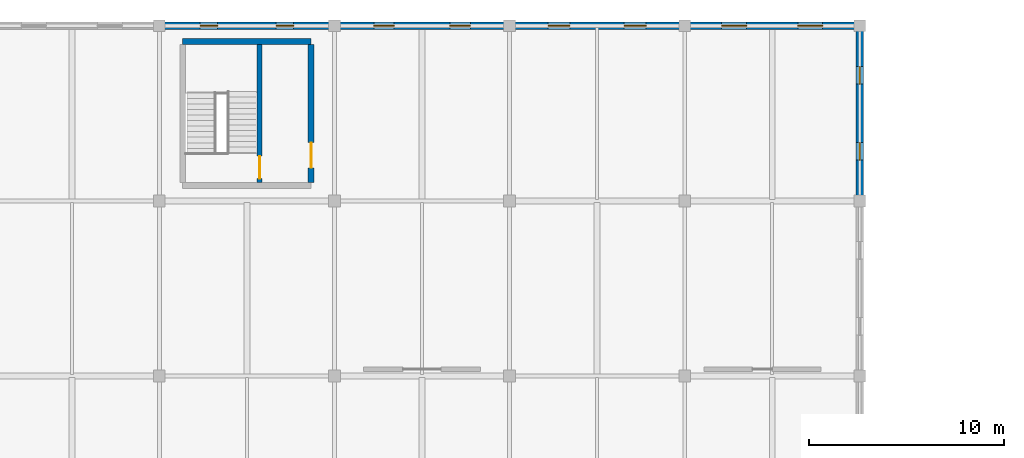
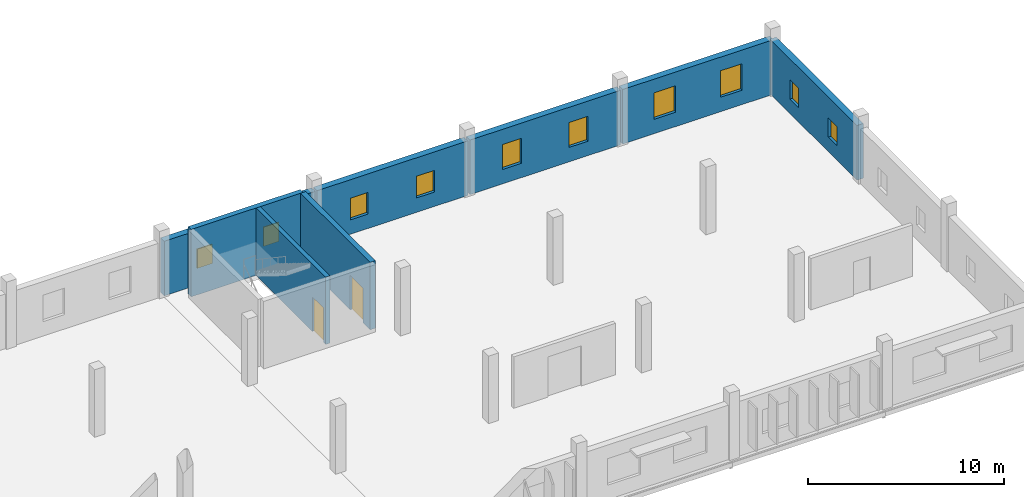
# One storey, part 148 of 161: 10 windows, 8 walls, 2 doors, 12 openings.
"""IFC4 building model written with IfcOpenShell, lengths in metres."""

import ifcopenshell
import ifcopenshell.guid

model = None  # the IFC model being written
_history = None  # IfcOwnerHistory: only IFC2X3 demands one
_inside = {}  # id of a spatial element -> (the spatial element, [elements in it])
_under = {}  # id of a project, library or spatial element -> (it, [spatial elements below it])
_declared = {}  # id of a project -> (the project, [libraries it declares])
_typed = {}  # id of a type object -> (the type object, [elements of that type])
_made_of = {}  # id of a material, layer set ... -> (it, [elements and type objects made of it])


def new_model(schema):
    """Start an empty IFC model of exactly this schema.

    Asked for "IFC4X3", IfcOpenShell would pick the latest addendum, in which some entities
    have other attributes; the version numbers below select the first issue.
    IFC2X3 requires an IfcOwnerHistory on every rooted entity: one is made here for all.
    """
    global model, _history
    if schema == "IFC4X3":
        model = ifcopenshell.file(schema_version=(4, 3, 0, 0))
    else:
        model = ifcopenshell.file(schema=schema)
    _inside.clear()
    _under.clear()
    _declared.clear()
    _typed.clear()
    _made_of.clear()
    _history = None
    if model.schema == "IFC2X3":
        org = make("IfcOrganization", Name="unknown")
        user = make(
            "IfcPersonAndOrganization",
            ThePerson=make("IfcPerson", FamilyName="unknown"),
            TheOrganization=org,
        )
        app = make(
            "IfcApplication",
            ApplicationDeveloper=org,
            Version="unknown",
            ApplicationFullName="unknown",
            ApplicationIdentifier="unknown",
        )
        _history = make(
            "IfcOwnerHistory",
            OwningUser=user,
            OwningApplication=app,
            ChangeAction="ADDED",
            CreationDate=0,
        )
    return model


def make(cls, **values):
    """One entity of the class cls with the attributes given. An attribute that is None is left unset."""
    return model.create_entity(
        cls, **{name: value for name, value in values.items() if value is not None}
    )


def rooted(cls, **values):
    """An entity with a GlobalId (a new one), such as an element, a storey or a relation."""
    return make(cls, GlobalId=ifcopenshell.guid.new(), OwnerHistory=_history, **values)


def si_unit(unit_type, name, prefix=None):
    """IfcSIUnit, for example si_unit("LENGTHUNIT", "METRE", prefix="MILLI")."""
    return make("IfcSIUnit", UnitType=unit_type, Prefix=prefix, Name=name)


def assignment(units):
    """IfcUnitAssignment: the units of a project."""
    return None if units is None else make("IfcUnitAssignment", Units=units)


def point(xyz):
    """IfcCartesianPoint."""
    return None if xyz is None else make("IfcCartesianPoint", Coordinates=xyz)


def direction(xyz):
    """IfcDirection."""
    return None if xyz is None else make("IfcDirection", DirectionRatios=xyz)


def frame(location, z_axis=None, x_axis=None):
    """IfcAxis2Placement3D, a coordinate frame: its origin and axes. An axis left out is left unset."""
    return make(
        "IfcAxis2Placement3D",
        Location=point(location),
        Axis=direction(z_axis),
        RefDirection=direction(x_axis),
    )


def frame_2d(location, x_axis=None):
    """IfcAxis2Placement2D, a coordinate frame in the plane: its origin and x axis."""
    return make(
        "IfcAxis2Placement2D", Location=point(location), RefDirection=direction(x_axis)
    )


def origin():
    """The frame at (0, 0, 0) with its axes left unset."""
    return frame((0.0, 0.0, 0.0))


def place(relative_to, where):
    """IfcLocalPlacement: puts the frame where relative to a parent placement (None: the world)."""
    return make(
        "IfcLocalPlacement", PlacementRelTo=relative_to, RelativePlacement=where
    )


def context(
    kind, dimensions, precision=None, world=None, true_north=None, identifier=None
):
    """IfcGeometricRepresentationContext, for example the 3D "Model" context."""
    return make(
        "IfcGeometricRepresentationContext",
        ContextIdentifier=identifier,
        ContextType=kind,
        CoordinateSpaceDimension=dimensions,
        Precision=precision,
        WorldCoordinateSystem=world,
        TrueNorth=true_north,
    )


def subcontext(parent, identifier, kind, view, scale=None):
    """IfcGeometricRepresentationSubContext, for example "Body" below "Model"."""
    return make(
        "IfcGeometricRepresentationSubContext",
        ContextIdentifier=identifier,
        ContextType=kind,
        ParentContext=parent,
        TargetScale=scale,
        TargetView=view,
    )


def project(units=None, contexts=None):
    """IfcProject with its units and contexts."""
    return rooted(
        "IfcProject",
        Name="project",
        RepresentationContexts=contexts,
        UnitsInContext=assignment(units),
    )


def spatial(cls, under=None, at=None, **own):
    """A site, building, storey or space (cls), placed at a placement, below another one or the project."""
    s = rooted(cls, ObjectPlacement=at, **own)
    if under is not None:
        _under.setdefault(under.id(), (under, []))[1].append(s)
    return s


def profile(cls, at=None, kind="AREA", **sizes):
    """A parametric profile (cls). Its sizes go by their IFC names, for example OverallWidth=200.0."""
    return make(cls, ProfileType=kind, Position=at, **sizes)


def rectangle(**sizes):
    """IfcRectangleProfileDef."""
    return profile("IfcRectangleProfileDef", **sizes)


def extrude(swept, where, along, depth):
    """IfcExtrudedAreaSolid: the profile swept, set in the frame where, extruded along a direction by depth."""
    return make(
        "IfcExtrudedAreaSolid",
        SweptArea=swept,
        Position=where,
        ExtrudedDirection=direction(along),
        Depth=depth,
    )


def shape(context_of_items, identifier, shape_type, items):
    """IfcShapeRepresentation: the items that make up one representation, for example the "Body"."""
    return make(
        "IfcShapeRepresentation",
        ContextOfItems=context_of_items,
        RepresentationIdentifier=identifier,
        RepresentationType=shape_type,
        Items=items,
    )


def material(Name=None, Category=None):
    """IfcMaterial."""
    return make("IfcMaterial", Name=Name, Category=Category)


def layer(
    of_material, thickness, ventilated=None, Name=None, Category=None, Priority=None
):
    """IfcMaterialLayer: one layer of a wall or slab, of a material (None: an air gap)."""
    return make(
        "IfcMaterialLayer",
        Material=of_material,
        LayerThickness=thickness,
        IsVentilated=ventilated,
        Name=Name,
        Category=Category,
        Priority=Priority,
    )


def layer_set(layers, Name=None):
    """IfcMaterialLayerSet."""
    return make("IfcMaterialLayerSet", MaterialLayers=layers, LayerSetName=Name)


def made_of(thing, what):
    """Note that an element or type object is made of a material, layer set ...; save() writes the relation."""
    if what is not None:
        _made_of.setdefault(what.id(), (what, []))[1].append(thing)
    return thing


def type_object(cls, material=None, **own):
    """A type object (cls), such as IfcWallType, which elements share."""
    return made_of(rooted(cls, **own), material)


def element(
    cls,
    number,
    at=None,
    inside=None,
    cuts=None,
    type_object=None,
    material=None,
    context=None,
    identifier="Body",
    shape_type=None,
    held_by="IfcProductDefinitionShape",
    body=None,
    shapes=None,
    **own,
):
    """One element of the class cls, such as IfcWall. Its Tag is "e" and its number.

    at: its placement. inside: the storey or other place that contains it. cuts: it is an
    opening in that element (IfcRelVoidsElement). A single representation is given by context,
    identifier, shape_type and body (its items); several are given by shapes. held_by: the class
    of the entity that holds the representations. save() writes the other relations.
    """
    e = rooted(cls, Tag="e%d" % number, ObjectPlacement=at, **own)
    if body is not None:
        shapes = [shape(context, identifier, shape_type, body)]
    if shapes is not None:
        e.Representation = make(held_by, Representations=shapes)
    if inside is not None:
        _inside.setdefault(inside.id(), (inside, []))[1].append(e)
    if cuts is not None:
        rooted(
            "IfcRelVoidsElement", RelatingBuildingElement=cuts, RelatedOpeningElement=e
        )
    if type_object is not None:
        _typed.setdefault(type_object.id(), (type_object, []))[1].append(e)
    return made_of(e, material)


def fill(opening, filler):
    """IfcRelFillsElement: the door or window that sits in an opening."""
    return rooted(
        "IfcRelFillsElement",
        RelatingOpeningElement=opening,
        RelatedBuildingElement=filler,
    )


def aggregate(whole, parts):
    """IfcRelAggregates: a whole, such as a stair, and the parts it consists of."""
    return rooted("IfcRelAggregates", RelatingObject=whole, RelatedObjects=parts)


def save(model, path):
    """Write the relations noted so far, then the file.

    IfcRelAggregates (storeys below a building ...), IfcRelContainedInSpatialStructure (elements
    in a storey), IfcRelDefinesByType, IfcRelAssociatesMaterial and IfcRelDeclares: one each for
    every whole, place, type object, material and project.
    """
    for whole, parts in _under.values():
        aggregate(whole, parts)
    for where, things in _inside.values():
        rooted(
            "IfcRelContainedInSpatialStructure",
            RelatedElements=things,
            RelatingStructure=where,
        )
    for kind, things in _typed.values():
        rooted("IfcRelDefinesByType", RelatedObjects=things, RelatingType=kind)
    for what, things in _made_of.values():
        rooted("IfcRelAssociatesMaterial", RelatedObjects=things, RelatingMaterial=what)
    for by, libraries in _declared.values():
        rooted("IfcRelDeclares", RelatingContext=by, RelatedDefinitions=libraries)
    model.write(path)


model = new_model("IFC4")

# Units and contexts
model_context = context("Model", 3, precision=1e-05, world=origin(), true_north=direction((0.0, 1.0)))
body_context = subcontext(model_context, "Body", "Model", "MODEL_VIEW")
ifc_project = project(units=[si_unit("LENGTHUNIT", "METRE"), si_unit("AREAUNIT", "SQUARE_METRE"), si_unit("VOLUMEUNIT", "CUBIC_METRE"), si_unit("PLANEANGLEUNIT", "RADIAN"), si_unit("MASSUNIT", "GRAM", prefix="KILO")], contexts=[model_context])

# Site, building, storey
site_placement = place(None, origin())
site = spatial("IfcSite", under=ifc_project, at=site_placement, CompositionType="ELEMENT")
building_placement = place(site_placement, origin())
building = spatial("IfcBuilding", under=site, at=building_placement, Name="Kildeholm Park Wholesale Market", CompositionType="ELEMENT")
storey_placement = place(building_placement, frame((0.0, 0.0, 5.39990234375)))
storey = spatial("IfcBuildingStorey", under=building, at=storey_placement, Name="L01", CompositionType="ELEMENT", Elevation=5.39990234375)

# Wall, openings, windows
ifc_material_1 = material(Name="Precast concrete C40/50 insulated cold-store envelope wall", Category="concrete")
ifc_layer_1 = layer(ifc_material_1, 0.3798828125)
ifc_layer_set_1 = layer_set([ifc_layer_1], Name="Precast concrete C40/50 insulated cold-store envelope wall")
wall_type_1 = type_object("IfcWallType", Name="Exterior wall W-CS1 380 mm", PredefinedType="SOLIDWALL", material=ifc_layer_set_1)
wall_1_placement = place(storey_placement, frame((144.06005859375, 171.0, 0.0), z_axis=(0.0, 0.0, 1.0), x_axis=(1.0, 0.0, 0.0)))
wall_1 = element("IfcWall", 1, at=wall_1_placement, inside=storey, type_object=wall_type_1, Name="Exterior wall V4N-L01.17 WL-0353", PredefinedType="SOLIDWALL", context=body_context, shape_type="SweptSolid", body=[
    extrude(rectangle(XDim=8.8798828125, YDim=0.3798828125, at=frame_2d((4.43994140625, 0.0))), origin(), (0.0, 0.0, 1.0), 3.400146484375),
])
opening_1_placement = place(wall_1_placement, frame((2.035888671875, 0.0, 0.89990234375)))
opening_1 = element("IfcOpeningElement", 2, at=opening_1_placement, cuts=wall_1, Name="Opening WN-17", PredefinedType="OPENING", context=body_context, shape_type="SweptSolid", body=[
    extrude(rectangle(XDim=0.89990234375, YDim=1.199951171875, at=frame_2d((0.449951171875, 0.60009765625))), frame((0.0, 0.199951171875, 0.0), z_axis=(0.0, -1.0, 0.0), x_axis=(1.0, 0.0, 0.0)), (0.0, 0.0, 1.0), 0.39990234375),
])
opening_2_placement = place(wall_1_placement, frame((5.944091796875, 0.0, 0.89990234375)))
opening_2 = element("IfcOpeningElement", 3, at=opening_2_placement, cuts=wall_1, Name="Opening WN-17", PredefinedType="OPENING", context=body_context, shape_type="SweptSolid", body=[
    extrude(rectangle(XDim=0.89990234375, YDim=1.199951171875, at=frame_2d((0.449951171875, 0.60009765625))), frame((0.0, 0.199951171875, 0.0), z_axis=(0.0, -1.0, 0.0), x_axis=(1.0, 0.0, 0.0)), (0.0, 0.0, 1.0), 0.39990234375),
])
ifc_material_2 = material(Name="Thermally broken aluminium and triple-glazed low-E glass", Category="aluminium")
window_type_1 = type_object("IfcWindowType", Name="Window WN-17 900x1200", PartitioningType="SINGLE_PANEL", PredefinedType="WINDOW", material=ifc_material_2)
window_1_placement = place(opening_1_placement, origin())
window_1 = element("IfcWindow", 4, at=window_1_placement, inside=storey, type_object=window_type_1, Name="Window V4N-L01.17.1 WIN-0133", OverallHeight=1.199951171875, OverallWidth=0.89990234375, PartitioningType="SINGLE_PANEL", PredefinedType="WINDOW", context=body_context, shape_type="SweptSolid", body=[
    extrude(rectangle(XDim=0.89990234375, YDim=1.199951171875, at=frame_2d((0.449951171875, 0.60009765625))), frame((0.0, 0.030029296875, 0.0), z_axis=(0.0, -1.0, 0.0), x_axis=(1.0, 0.0, 0.0)), (0.0, 0.0, 1.0), 0.06005859375),
])
fill(opening_1, window_1)
window_2_placement = place(opening_2_placement, origin())
window_2 = element("IfcWindow", 5, at=window_2_placement, inside=storey, type_object=window_type_1, Name="Window V4N-L01.17.2 WIN-0134", OverallHeight=1.199951171875, OverallWidth=0.89990234375, PartitioningType="SINGLE_PANEL", PredefinedType="WINDOW", context=body_context, shape_type="SweptSolid", body=[
    extrude(rectangle(XDim=0.89990234375, YDim=1.199951171875, at=frame_2d((0.449951171875, 0.60009765625))), frame((0.0, 0.030029296875, 0.0), z_axis=(0.0, -1.0, 0.0), x_axis=(1.0, 0.0, 0.0)), (0.0, 0.0, 1.0), 0.06005859375),
])
fill(opening_2, window_2)

wall_2_placement = place(storey_placement, frame((153.06005859375, 171.0, 0.0), z_axis=(0.0, 0.0, 1.0), x_axis=(1.0, 0.0, 0.0)))
wall_2 = element("IfcWall", 6, at=wall_2_placement, inside=storey, type_object=wall_type_1, Name="Exterior wall V4N-L01.18 WL-0354", PredefinedType="SOLIDWALL", context=body_context, shape_type="SweptSolid", body=[
    extrude(rectangle(XDim=8.8798828125, YDim=0.3798828125, at=frame_2d((4.43994140625, 0.0))), origin(), (0.0, 0.0, 1.0), 3.400146484375),
])
opening_3_placement = place(wall_2_placement, frame((1.9609375, 0.0, 0.89990234375)))
opening_3 = element("IfcOpeningElement", 7, at=opening_3_placement, cuts=wall_2, Name="Opening WN-26", PredefinedType="OPENING", context=body_context, shape_type="SweptSolid", body=[
    extrude(rectangle(XDim=1.050048828125, YDim=1.35009765625, at=frame_2d((0.52490234375, 0.675048828125))), frame((0.0, 0.199951171875, 0.0), z_axis=(0.0, -1.0, 0.0), x_axis=(1.0, 0.0, 0.0)), (0.0, 0.0, 1.0), 0.39990234375),
])
opening_4_placement = place(wall_2_placement, frame((5.868896484375, 0.0, 0.89990234375)))
opening_4 = element("IfcOpeningElement", 8, at=opening_4_placement, cuts=wall_2, Name="Opening WN-26", PredefinedType="OPENING", context=body_context, shape_type="SweptSolid", body=[
    extrude(rectangle(XDim=1.050048828125, YDim=1.35009765625, at=frame_2d((0.52490234375, 0.675048828125))), frame((0.0, 0.199951171875, 0.0), z_axis=(0.0, -1.0, 0.0), x_axis=(1.0, 0.0, 0.0)), (0.0, 0.0, 1.0), 0.39990234375),
])
window_type_2 = type_object("IfcWindowType", Name="Window WN-26 1050x1350", PartitioningType="SINGLE_PANEL", PredefinedType="WINDOW", material=ifc_material_2)
window_3_placement = place(opening_3_placement, origin())
window_3 = element("IfcWindow", 9, at=window_3_placement, inside=storey, type_object=window_type_2, Name="Window V4N-L01.18.1 WIN-0135", OverallHeight=1.35009765625, OverallWidth=1.050048828125, PartitioningType="SINGLE_PANEL", PredefinedType="WINDOW", context=body_context, shape_type="SweptSolid", body=[
    extrude(rectangle(XDim=1.050048828125, YDim=1.35009765625, at=frame_2d((0.52490234375, 0.675048828125))), frame((0.0, 0.030029296875, 0.0), z_axis=(0.0, -1.0, 0.0), x_axis=(1.0, 0.0, 0.0)), (0.0, 0.0, 1.0), 0.06005859375),
])
fill(opening_3, window_3)
window_4_placement = place(opening_4_placement, origin())
window_4 = element("IfcWindow", 10, at=window_4_placement, inside=storey, type_object=window_type_2, Name="Window V4N-L01.18.2 WIN-0136", OverallHeight=1.35009765625, OverallWidth=1.050048828125, PartitioningType="SINGLE_PANEL", PredefinedType="WINDOW", context=body_context, shape_type="SweptSolid", body=[
    extrude(rectangle(XDim=1.050048828125, YDim=1.35009765625, at=frame_2d((0.52490234375, 0.675048828125))), frame((0.0, 0.030029296875, 0.0), z_axis=(0.0, -1.0, 0.0), x_axis=(1.0, 0.0, 0.0)), (0.0, 0.0, 1.0), 0.06005859375),
])
fill(opening_4, window_4)

wall_3_placement = place(storey_placement, frame((162.06005859375, 171.0, 0.0), z_axis=(0.0, 0.0, 1.0), x_axis=(1.0, 0.0, 0.0)))
wall_3 = element("IfcWall", 11, at=wall_3_placement, inside=storey, type_object=wall_type_1, Name="Exterior wall V4N-L01.19 WL-0355", PredefinedType="SOLIDWALL", context=body_context, shape_type="SweptSolid", body=[
    extrude(rectangle(XDim=8.8798828125, YDim=0.3798828125, at=frame_2d((4.43994140625, 0.0))), origin(), (0.0, 0.0, 1.0), 3.400146484375),
])
opening_5_placement = place(wall_3_placement, frame((1.926025390625, 0.0, 0.89990234375)))
opening_5 = element("IfcOpeningElement", 12, at=opening_5_placement, cuts=wall_3, Name="Opening WN-35", PredefinedType="OPENING", context=body_context, shape_type="SweptSolid", body=[
    extrude(rectangle(XDim=1.1201171875, YDim=1.550048828125, at=frame_2d((0.56005859375, 0.77490234375))), frame((0.0, 0.199951171875, 0.0), z_axis=(0.0, -1.0, 0.0), x_axis=(1.0, 0.0, 0.0)), (0.0, 0.0, 1.0), 0.39990234375),
])
opening_6_placement = place(wall_3_placement, frame((5.833984375, 0.0, 0.89990234375)))
opening_6 = element("IfcOpeningElement", 13, at=opening_6_placement, cuts=wall_3, Name="Opening WN-35", PredefinedType="OPENING", context=body_context, shape_type="SweptSolid", body=[
    extrude(rectangle(XDim=1.1201171875, YDim=1.550048828125, at=frame_2d((0.56005859375, 0.77490234375))), frame((0.0, 0.199951171875, 0.0), z_axis=(0.0, -1.0, 0.0), x_axis=(1.0, 0.0, 0.0)), (0.0, 0.0, 1.0), 0.39990234375),
])
window_type_3 = type_object("IfcWindowType", Name="Window WN-35 1120x1550", PartitioningType="SINGLE_PANEL", PredefinedType="WINDOW", material=ifc_material_2)
window_5_placement = place(opening_5_placement, origin())
window_5 = element("IfcWindow", 14, at=window_5_placement, inside=storey, type_object=window_type_3, Name="Window V4N-L01.19.1 WIN-0137", OverallHeight=1.550048828125, OverallWidth=1.1201171875, PartitioningType="SINGLE_PANEL", PredefinedType="WINDOW", context=body_context, shape_type="SweptSolid", body=[
    extrude(rectangle(XDim=1.1201171875, YDim=1.550048828125, at=frame_2d((0.56005859375, 0.77490234375))), frame((0.0, 0.030029296875, 0.0), z_axis=(0.0, -1.0, 0.0), x_axis=(1.0, 0.0, 0.0)), (0.0, 0.0, 1.0), 0.06005859375),
])
fill(opening_5, window_5)
window_6_placement = place(opening_6_placement, origin())
window_6 = element("IfcWindow", 15, at=window_6_placement, inside=storey, type_object=window_type_3, Name="Window V4N-L01.19.2 WIN-0138", OverallHeight=1.550048828125, OverallWidth=1.1201171875, PartitioningType="SINGLE_PANEL", PredefinedType="WINDOW", context=body_context, shape_type="SweptSolid", body=[
    extrude(rectangle(XDim=1.1201171875, YDim=1.550048828125, at=frame_2d((0.56005859375, 0.77490234375))), frame((0.0, 0.030029296875, 0.0), z_axis=(0.0, -1.0, 0.0), x_axis=(1.0, 0.0, 0.0)), (0.0, 0.0, 1.0), 0.06005859375),
])
fill(opening_6, window_6)

wall_4_placement = place(storey_placement, frame((171.06005859375, 171.0, 0.0), z_axis=(0.0, 0.0, 1.0), x_axis=(1.0, 0.0, 0.0)))
wall_4 = element("IfcWall", 16, at=wall_4_placement, inside=storey, type_object=wall_type_1, Name="Exterior wall V4N-L01.20 WL-0356", PredefinedType="SOLIDWALL", context=body_context, shape_type="SweptSolid", body=[
    extrude(rectangle(XDim=8.8798828125, YDim=0.3798828125, at=frame_2d((4.43994140625, 0.0))), origin(), (0.0, 0.0, 1.0), 3.400146484375),
])
opening_7_placement = place(wall_4_placement, frame((1.845947265625, 0.0, 0.89990234375)))
opening_7 = element("IfcOpeningElement", 17, at=opening_7_placement, cuts=wall_4, Name="Opening WN-36", PredefinedType="OPENING", context=body_context, shape_type="SweptSolid", body=[
    extrude(rectangle(XDim=1.280029296875, YDim=1.64990234375, at=frame_2d((0.64013671875, 0.824951171875))), frame((0.0, 0.199951171875, 0.0), z_axis=(0.0, -1.0, 0.0), x_axis=(1.0, 0.0, 0.0)), (0.0, 0.0, 1.0), 0.39990234375),
])
opening_8_placement = place(wall_4_placement, frame((5.75390625, 0.0, 0.89990234375)))
opening_8 = element("IfcOpeningElement", 18, at=opening_8_placement, cuts=wall_4, Name="Opening WN-36", PredefinedType="OPENING", context=body_context, shape_type="SweptSolid", body=[
    extrude(rectangle(XDim=1.280029296875, YDim=1.64990234375, at=frame_2d((0.64013671875, 0.824951171875))), frame((0.0, 0.199951171875, 0.0), z_axis=(0.0, -1.0, 0.0), x_axis=(1.0, 0.0, 0.0)), (0.0, 0.0, 1.0), 0.39990234375),
])
window_type_4 = type_object("IfcWindowType", Name="Window WN-36 1280x1650", PartitioningType="DOUBLE_PANEL_VERTICAL", PredefinedType="WINDOW", material=ifc_material_2)
window_7_placement = place(opening_7_placement, origin())
window_7 = element("IfcWindow", 19, at=window_7_placement, inside=storey, type_object=window_type_4, Name="Window V4N-L01.20.1 WIN-0139", OverallHeight=1.64990234375, OverallWidth=1.280029296875, PartitioningType="SINGLE_PANEL", PredefinedType="WINDOW", context=body_context, shape_type="SweptSolid", body=[
    extrude(rectangle(XDim=1.280029296875, YDim=1.64990234375, at=frame_2d((0.64013671875, 0.824951171875))), frame((0.0, 0.030029296875, 0.0), z_axis=(0.0, -1.0, 0.0), x_axis=(1.0, 0.0, 0.0)), (0.0, 0.0, 1.0), 0.06005859375),
])
fill(opening_7, window_7)
window_8_placement = place(opening_8_placement, origin())
window_8 = element("IfcWindow", 20, at=window_8_placement, inside=storey, type_object=window_type_4, Name="Window V4N-L01.20.2 WIN-0140", OverallHeight=1.64990234375, OverallWidth=1.280029296875, PartitioningType="SINGLE_PANEL", PredefinedType="WINDOW", context=body_context, shape_type="SweptSolid", body=[
    extrude(rectangle(XDim=1.280029296875, YDim=1.64990234375, at=frame_2d((0.64013671875, 0.824951171875))), frame((0.0, 0.030029296875, 0.0), z_axis=(0.0, -1.0, 0.0), x_axis=(1.0, 0.0, 0.0)), (0.0, 0.0, 1.0), 0.06005859375),
])
fill(opening_8, window_8)

wall_5_placement = place(storey_placement, frame((180.0, 162.06005859375, 0.0), z_axis=(0.0, 0.0, 1.0), x_axis=(0.0, 1.0, 0.0)))
wall_5 = element("IfcWall", 21, at=wall_5_placement, inside=storey, type_object=wall_type_1, Name="Exterior wall V4E-L01.3 WL-0434", PredefinedType="SOLIDWALL", context=body_context, shape_type="SweptSolid", body=[
    extrude(rectangle(XDim=8.8798828125, YDim=0.3798828125, at=frame_2d((4.43994140625, 0.0))), origin(), (0.0, 0.0, 1.0), 3.400146484375),
])
opening_9_placement = place(wall_5_placement, frame((2.035888671875, 0.0, 0.89990234375)))
opening_9 = element("IfcOpeningElement", 22, at=opening_9_placement, cuts=wall_5, Name="Opening WN-17", PredefinedType="OPENING", context=body_context, shape_type="SweptSolid", body=[
    extrude(rectangle(XDim=0.89990234375, YDim=1.199951171875, at=frame_2d((0.449951171875, 0.60009765625))), frame((0.0, 0.199951171875, 0.0), z_axis=(0.0, -1.0, 0.0), x_axis=(1.0, 0.0, 0.0)), (0.0, 0.0, 1.0), 0.39990234375),
])
opening_10_placement = place(wall_5_placement, frame((5.944091796875, 0.0, 0.89990234375)))
opening_10 = element("IfcOpeningElement", 23, at=opening_10_placement, cuts=wall_5, Name="Opening WN-17", PredefinedType="OPENING", context=body_context, shape_type="SweptSolid", body=[
    extrude(rectangle(XDim=0.89990234375, YDim=1.199951171875, at=frame_2d((0.449951171875, 0.60009765625))), frame((0.0, 0.199951171875, 0.0), z_axis=(0.0, -1.0, 0.0), x_axis=(1.0, 0.0, 0.0)), (0.0, 0.0, 1.0), 0.39990234375),
])
window_9_placement = place(opening_9_placement, origin())
window_9 = element("IfcWindow", 24, at=window_9_placement, inside=storey, type_object=window_type_1, Name="Window V4E-L01.3.1 WIN-0227", OverallHeight=1.199951171875, OverallWidth=0.89990234375, PartitioningType="SINGLE_PANEL", PredefinedType="WINDOW", context=body_context, shape_type="SweptSolid", body=[
    extrude(rectangle(XDim=0.89990234375, YDim=1.199951171875, at=frame_2d((0.449951171875, 0.60009765625))), frame((0.0, 0.030029296875, 0.0), z_axis=(0.0, -1.0, 0.0), x_axis=(1.0, 0.0, 0.0)), (0.0, 0.0, 1.0), 0.06005859375),
])
fill(opening_9, window_9)
window_10_placement = place(opening_10_placement, origin())
window_10 = element("IfcWindow", 25, at=window_10_placement, inside=storey, type_object=window_type_1, Name="Window V4E-L01.3.2 WIN-0228", OverallHeight=1.199951171875, OverallWidth=0.89990234375, PartitioningType="SINGLE_PANEL", PredefinedType="WINDOW", context=body_context, shape_type="SweptSolid", body=[
    extrude(rectangle(XDim=0.89990234375, YDim=1.199951171875, at=frame_2d((0.449951171875, 0.60009765625))), frame((0.0, 0.030029296875, 0.0), z_axis=(0.0, -1.0, 0.0), x_axis=(1.0, 0.0, 0.0)), (0.0, 0.0, 1.0), 0.06005859375),
])
fill(opening_10, window_10)

# Wall
ifc_material_3 = material(Name="Concrete C40/50", Category="concrete")
ifc_layer_2 = layer(ifc_material_3, 0.300048828125)
ifc_layer_set_2 = layer_set([ifc_layer_2], Name="Concrete C40/50")
wall_type_2 = type_object("IfcWallType", Name="Shear wall W-SH1 300 mm", PredefinedType="SHEAR", material=ifc_layer_set_2)
wall_6_placement = place(storey_placement, frame((145.199951171875, 170.199951171875, 0.0), z_axis=(0.0, 0.0, 1.0), x_axis=(1.0, 0.0, 0.0)))
element("IfcWall", 26, at=wall_6_placement, inside=storey, type_object=wall_type_2, Name="Core C03 north shear wall L01 WL-0695", PredefinedType="SHEAR", context=body_context, shape_type="SweptSolid", body=[
    extrude(rectangle(XDim=6.60009765625, YDim=0.300048828125, at=frame_2d((3.300048828125, 0.0))), origin(), (0.0, 0.0, 1.0), 4.2001953125),
])

# Wall, opening, door
wall_7_placement = place(storey_placement, frame((151.800048828125, 162.949951171875, 0.0), z_axis=(0.0, 0.0, 1.0), x_axis=(0.0, 1.0, 0.0)))
wall_7 = element("IfcWall", 27, at=wall_7_placement, inside=storey, type_object=wall_type_2, Name="Core C03 east shear wall L01 WL-0697", PredefinedType="SHEAR", context=body_context, shape_type="SweptSolid", body=[
    extrude(rectangle(XDim=7.10009765625, YDim=0.300048828125, at=frame_2d((3.550048828125, 0.0))), origin(), (0.0, 0.0, 1.0), 4.2001953125),
])
opening_11_placement = place(wall_7_placement, frame((0.75, 0.0, 0.0)))
opening_11 = element("IfcOpeningElement", 28, at=opening_11_placement, cuts=wall_7, Name="Opening D-CR02", PredefinedType="OPENING", context=body_context, shape_type="SweptSolid", body=[
    extrude(rectangle(XDim=1.300048828125, YDim=2.14990234375, at=frame_2d((0.64990234375, 1.074951171875))), frame((0.0, 0.159912109375, 0.0), z_axis=(0.0, -1.0, 0.0), x_axis=(1.0, 0.0, 0.0)), (0.0, 0.0, 1.0), 0.320068359375),
])
ifc_material_4 = material(Name="Painted steel core lobby double-leaf doorset", Category="steel")
door_type_1 = type_object("IfcDoorType", Name="Interior door D-CR02 1300x2150", OperationType="NOTDEFINED", PredefinedType="DOOR", material=ifc_material_4)
door_1_placement = place(opening_11_placement, frame((1.300048828125, 0.0, 0.0), z_axis=(0.0, 0.0, 1.0), x_axis=(-1.0, 0.0, 0.0)))
door_1 = element("IfcDoor", 29, at=door_1_placement, inside=storey, type_object=door_type_1, Name="Core C03 lobby entrance door L01 DR-0098 WL-0697", OperationType="DOUBLE_DOOR_SINGLE_SWING", OverallHeight=2.14990234375, OverallWidth=1.300048828125, PredefinedType="DOOR", context=body_context, shape_type="SweptSolid", body=[
    extrude(rectangle(XDim=1.300048828125, YDim=2.14990234375, at=frame_2d((0.64990234375, 1.074951171875))), frame((0.0, 0.02490234375, 0.0), z_axis=(0.0, -1.0, 0.0), x_axis=(1.0, 0.0, 0.0)), (0.0, 0.0, 1.0), 0.050048828125),
])
fill(opening_11, door_1)

ifc_layer_3 = layer(ifc_material_3, 0.25)
ifc_layer_set_3 = layer_set([ifc_layer_3], Name="Concrete C40/50")
wall_type_3 = type_object("IfcWallType", Name="Shear wall W-SH2 250 mm", PredefinedType="SHEAR", material=ifc_layer_set_3)
wall_8_placement = place(storey_placement, frame((149.14990234375, 162.949951171875, 0.0), z_axis=(0.0, 0.0, 1.0), x_axis=(0.0, 1.0, 0.0)))
wall_8 = element("IfcWall", 30, at=wall_8_placement, inside=storey, type_object=wall_type_3, Name="Core C03 shaft wall L01 WL-0698", PredefinedType="SHEAR", context=body_context, shape_type="SweptSolid", body=[
    extrude(rectangle(XDim=7.10009765625, YDim=0.25, at=frame_2d((3.550048828125, 0.0))), origin(), (0.0, 0.0, 1.0), 4.2001953125),
])
opening_12_placement = place(wall_8_placement, frame((0.199951171875, 0.0, 0.0)))
opening_12 = element("IfcOpeningElement", 31, at=opening_12_placement, cuts=wall_8, Name="Opening D-CR01", PredefinedType="OPENING", context=body_context, shape_type="SweptSolid", body=[
    extrude(rectangle(XDim=1.14990234375, YDim=2.14990234375, at=frame_2d((0.574951171875, 1.074951171875))), frame((0.0, 0.135009765625, 0.0), z_axis=(0.0, -1.0, 0.0), x_axis=(1.0, 0.0, 0.0)), (0.0, 0.0, 1.0), 0.27001953125),
])
ifc_material_5 = material(Name="Painted steel fire escape doorset", Category="steel")
door_type_2 = type_object("IfcDoorType", Name="Interior door D-CR01 1150x2150", OperationType="NOTDEFINED", PredefinedType="DOOR", material=ifc_material_5)
door_2_placement = place(opening_12_placement, frame((1.14990234375, 0.0, 0.0), z_axis=(0.0, 0.0, 1.0), x_axis=(-1.0, 0.0, 0.0)))
door_2 = element("IfcDoor", 32, at=door_2_placement, inside=storey, type_object=door_type_2, Name="Core C03 stair fire door L01 DR-0099 WL-0698", OperationType="SINGLE_SWING_LEFT", OverallHeight=2.14990234375, OverallWidth=1.14990234375, PredefinedType="DOOR", context=body_context, shape_type="SweptSolid", body=[
    extrude(rectangle(XDim=1.14990234375, YDim=2.14990234375, at=frame_2d((0.574951171875, 1.074951171875))), frame((0.0, 0.02490234375, 0.0), z_axis=(0.0, -1.0, 0.0), x_axis=(1.0, 0.0, 0.0)), (0.0, 0.0, 1.0), 0.050048828125),
])
fill(opening_12, door_2)

save(model, "model.ifc")
